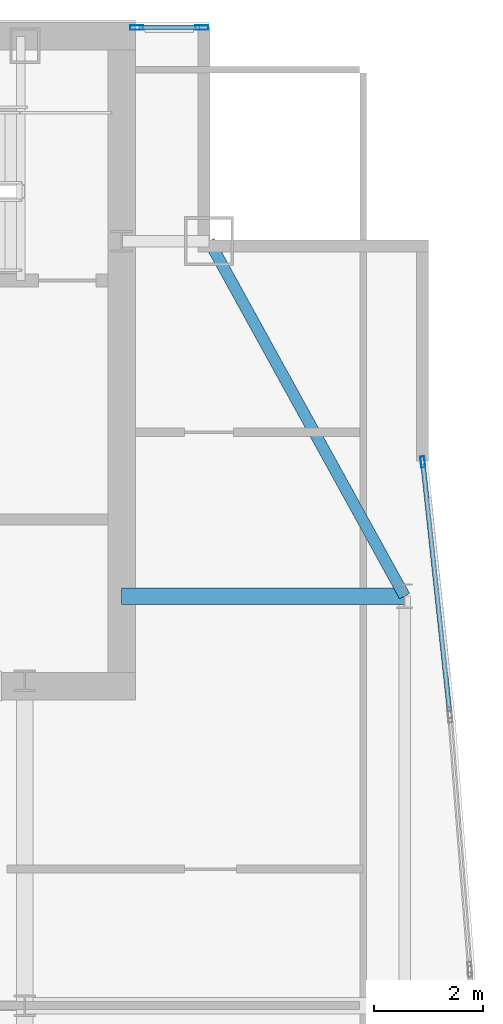
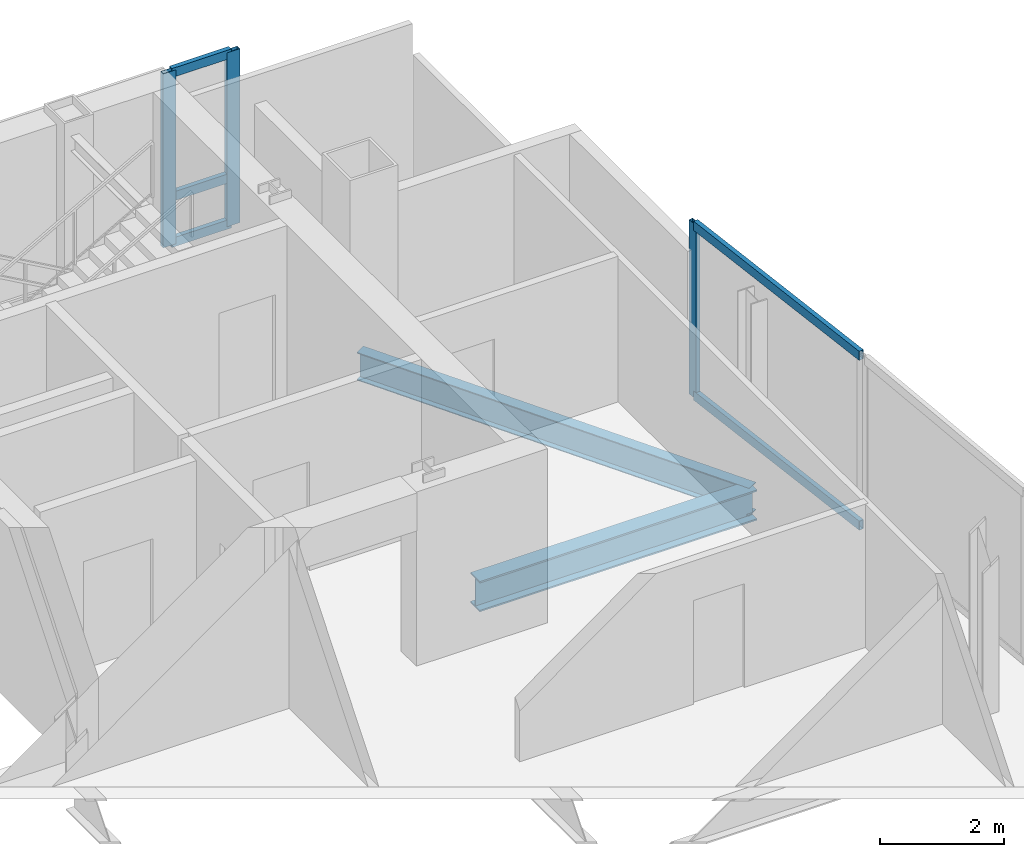
# One storey, part 20 of 27: 8 members, 2 beams, 2 elements without a shape of their own.
"""IFC4 building model written with IfcOpenShell, lengths in metres."""

from ifc_helpers import new_model, si_unit, direction, frame, origin, origin_2d, place, context, subcontext, project, spatial, hollow_rectangle, i_section, extrude, material, material_profile, profile_set, type_object, element, aggregate, save


model = new_model("IFC4")

# Units and contexts
model_context = context("Model", 3, precision=1e-05, world=origin(), true_north=direction((0.0, 1.0)))
body_context = subcontext(model_context, "Body", "Model", "MODEL_VIEW")
ifc_project = project(units=[si_unit("LENGTHUNIT", "METRE"), si_unit("AREAUNIT", "SQUARE_METRE"), si_unit("VOLUMEUNIT", "CUBIC_METRE"), si_unit("PLANEANGLEUNIT", "RADIAN"), si_unit("MASSUNIT", "GRAM", prefix="KILO")], contexts=[model_context])

# Site, building, storey
site_placement = place(None, origin())
site = spatial("IfcSite", under=ifc_project, at=site_placement, CompositionType="ELEMENT")
building_placement = place(site_placement, origin())
building = spatial("IfcBuilding", under=site, at=building_placement, Name="Khoronbel Lancet Exchange", CompositionType="ELEMENT")
storey_placement = place(building_placement, frame((0.0, 0.0, 343.39990234375)))
storey = spatial("IfcBuildingStorey", under=building, at=storey_placement, Name="L89", CompositionType="ELEMENT", Elevation=343.39990234375)

# Beams
ifc_material_1 = material(Name="Steel S355", Category="steel")
ifc_material_profile_1 = material_profile(ifc_material_1, i_section(OverallWidth=0.300048828125, OverallDepth=0.60009765625, WebThickness=0.015380859375, FlangeThickness=0.030029296875, at=origin_2d()), Name="HEB 600")
ifc_profile_set_1 = profile_set([ifc_material_profile_1], Name="Steel S355")
beam_type_1 = type_object("IfcBeamType", Name="BM-BG5", PredefinedType="BEAM", material=ifc_profile_set_1)
beam_1_placement = place(storey_placement, frame((56.449951171875, 43.199951171875, -0.4599609375), z_axis=(1.0, 0.0, 0.0), x_axis=(0.0, 1.0, 0.0)))
element("IfcBeam", 1, at=beam_1_placement, inside=storey, type_object=beam_type_1, Name="Level L89 east lens tie girder LG3E", PredefinedType="BEAM", context=body_context, shape_type="SweptSolid", body=[
    extrude(i_section(OverallWidth=0.300048828125, OverallDepth=0.60009765625, WebThickness=0.015380859375, FlangeThickness=0.030029296875, at=origin_2d()), origin(), (0.0, 0.0, 1.0), 5.179931640625),
])
ifc_material_profile_2 = material_profile(ifc_material_1, i_section(OverallWidth=0.2099609375, OverallDepth=0.550048828125, WebThickness=0.010986328125, FlangeThickness=0.01708984375, at=origin_2d()), Name="IPE 550")
ifc_profile_set_2 = profile_set([ifc_material_profile_2], Name="Steel S355")
beam_type_2 = type_object("IfcBeamType", Name="BM-BSP3", PredefinedType="SPANDREL", material=ifc_profile_set_2)
beam_2_placement = place(storey_placement, frame((61.6298828125, 43.199951171875, -0.434814453125), z_axis=(-0.482418808117, 0.875940690672, 0.0), x_axis=(-0.875940690672, -0.482418808117, 0.0)))
element("IfcBeam", 2, at=beam_2_placement, inside=storey, type_object=beam_type_2, Name="Level L89 perimeter spandrel beam SP13", PredefinedType="SPANDREL", context=body_context, shape_type="SweptSolid", body=[
    extrude(i_section(OverallWidth=0.2099609375, OverallDepth=0.550048828125, WebThickness=0.010986328125, FlangeThickness=0.01708984375, at=origin_2d()), origin(), (0.0, 0.0, 1.0), 7.420654296875),
])

# Curtain wall, members
ifc_material_2 = material(Name="Low-E Solar Control Insulating Glass", Category="glass")
curtain_wall_type_1 = type_object("IfcCurtainWallType", Name="CW-3", PredefinedType="NOTDEFINED", material=ifc_material_2)
curtain_wall_1_placement = place(storey_placement, origin())
curtain_wall_1 = element("IfcCurtainWall", 3, at=curtain_wall_1_placement, inside=storey, type_object=curtain_wall_type_1, Name="Unitised curtain wall CW-L89-NEFLK", PredefinedType="NOTDEFINED")
ifc_material_3 = material(Name="Bronze-Anodised Aluminium 6063-T6", Category="aluminium")
ifc_material_profile_3 = material_profile(ifc_material_3, hollow_rectangle(XDim=0.0849609375, YDim=0.239990234375, WallThickness=0.006103515625, at=origin_2d()), Name="ALU MULLION 85x240")
ifc_profile_set_3 = profile_set([ifc_material_profile_3], Name="Bronze-Anodised Aluminium 6063-T6")
member_type_1 = type_object("IfcMemberType", Name="MEM-CWM1", PredefinedType="MULLION", material=ifc_profile_set_3)
member_1_placement = place(storey_placement, frame((57.91748046875, 53.610107421875, 0.0), z_axis=(0.0, 0.0, 1.0), x_axis=(0.0, -1.0, 0.0)))
member_1 = element("IfcMember", 4, at=member_1_placement, type_object=member_type_1, Name="CW3 mullion 1", PredefinedType="MULLION", context=body_context, shape_type="SweptSolid", body=[
    extrude(hollow_rectangle(XDim=0.0849609375, YDim=0.239990234375, WallThickness=0.006103515625, at=origin_2d()), origin(), (0.0, 0.0, 1.0), 3.440185546875),
])
member_2_placement = place(storey_placement, frame((56.722412109375, 53.610107421875, 0.0), z_axis=(0.0, 0.0, 1.0), x_axis=(0.0, -1.0, 0.0)))
member_2 = element("IfcMember", 5, at=member_2_placement, type_object=member_type_1, Name="CW3 mullion 2", PredefinedType="MULLION", context=body_context, shape_type="SweptSolid", body=[
    extrude(hollow_rectangle(XDim=0.0849609375, YDim=0.239990234375, WallThickness=0.006103515625, at=origin_2d()), origin(), (0.0, 0.0, 1.0), 3.440185546875),
])

# Curtain wall, member
curtain_wall_type_2 = type_object("IfcCurtainWallType", Name="CW-4", PredefinedType="NOTDEFINED", material=ifc_material_2)
curtain_wall_2_placement = place(storey_placement, origin())
curtain_wall_2 = element("IfcCurtainWall", 6, at=curtain_wall_2_placement, inside=storey, type_object=curtain_wall_type_2, Name="Unitised curtain wall CW-L89-E17", PredefinedType="NOTDEFINED")
ifc_material_profile_4 = material_profile(ifc_material_3, hollow_rectangle(XDim=0.074951171875, YDim=0.199951171875, WallThickness=0.0048828125, at=origin_2d()), Name="ALU MULLION 75x200")
ifc_profile_set_4 = profile_set([ifc_material_profile_4], Name="Bronze-Anodised Aluminium 6063-T6")
member_type_2 = type_object("IfcMemberType", Name="MEM-CWM2", PredefinedType="MULLION", material=ifc_profile_set_4)
member_3_placement = place(storey_placement, frame((61.964111328125, 45.657958984375, 0.0), z_axis=(0.0, 0.0, 1.0), x_axis=(0.994308670645, 0.106537634098, 0.0)))
member_3 = element("IfcMember", 7, at=member_3_placement, type_object=member_type_2, Name="CW4 mullion 1", PredefinedType="MULLION", context=body_context, shape_type="SweptSolid", body=[
    extrude(hollow_rectangle(XDim=0.074951171875, YDim=0.199951171875, WallThickness=0.0048828125, at=origin_2d()), origin(), (0.0, 0.0, 1.0), 3.440185546875),
])

# Member
ifc_material_profile_5 = material_profile(ifc_material_3, hollow_rectangle(XDim=0.0849609375, YDim=0.179931640625, WallThickness=0.0048828125, at=origin_2d()), Name="ALU TRANSOM 85x180")
ifc_profile_set_5 = profile_set([ifc_material_profile_5], Name="Bronze-Anodised Aluminium 6063-T6")
member_type_3 = type_object("IfcMemberType", Name="MEM-CWT1", PredefinedType="USERDEFINED", material=ifc_profile_set_5)
member_4_placement = place(storey_placement, frame((57.875, 53.610107421875, 0.04248046875), z_axis=(-1.0, 0.0, 0.0), x_axis=(0.0, -1.0, 0.0)))
member_4 = element("IfcMember", 8, at=member_4_placement, type_object=member_type_3, Name="CW3 transom 1.1", ObjectType="TRANSOM", PredefinedType="USERDEFINED", context=body_context, shape_type="SweptSolid", body=[
    extrude(hollow_rectangle(XDim=0.0849609375, YDim=0.179931640625, WallThickness=0.0048828125, at=origin_2d()), origin(), (0.0, 0.0, 1.0), 1.110107421875),
])

member_5_placement = place(storey_placement, frame((57.875, 53.610107421875, 0.9501953125), z_axis=(-1.0, 0.0, 0.0), x_axis=(0.0, -1.0, 0.0)))
member_5 = element("IfcMember", 9, at=member_5_placement, type_object=member_type_3, Name="CW3 transom 1.2", ObjectType="TRANSOM", PredefinedType="USERDEFINED", context=body_context, shape_type="SweptSolid", body=[
    extrude(hollow_rectangle(XDim=0.0849609375, YDim=0.179931640625, WallThickness=0.0048828125, at=origin_2d()), origin(), (0.0, 0.0, 1.0), 1.110107421875),
])

member_6_placement = place(storey_placement, frame((57.875, 53.610107421875, 3.397705078125), z_axis=(-1.0, 0.0, 0.0), x_axis=(0.0, -1.0, 0.0)))
member_6 = element("IfcMember", 10, at=member_6_placement, type_object=member_type_3, Name="CW3 transom 1.3", ObjectType="TRANSOM", PredefinedType="USERDEFINED", context=body_context, shape_type="SweptSolid", body=[
    extrude(hollow_rectangle(XDim=0.0849609375, YDim=0.179931640625, WallThickness=0.0048828125, at=origin_2d()), origin(), (0.0, 0.0, 1.0), 1.110107421875),
])

aggregate(curtain_wall_1, [member_1, member_2, member_4, member_5, member_6])

member_7_placement = place(storey_placement, frame((61.968017578125, 45.62060546875, 0.04248046875), z_axis=(0.10652933186, -0.994309560174, 0.0), x_axis=(0.994309560174, 0.10652933186, 0.0)))
member_7 = element("IfcMember", 11, at=member_7_placement, type_object=member_type_3, Name="CW4 transom 1.1", ObjectType="TRANSOM", PredefinedType="USERDEFINED", context=body_context, shape_type="SweptSolid", body=[
    extrude(hollow_rectangle(XDim=0.0849609375, YDim=0.179931640625, WallThickness=0.0048828125, at=origin_2d()), origin(), (0.0, 0.0, 1.0), 4.546875),
])

member_8_placement = place(storey_placement, frame((61.968017578125, 45.62060546875, 3.397705078125), z_axis=(0.10652933186, -0.994309560174, 0.0), x_axis=(0.994309560174, 0.10652933186, 0.0)))
member_8 = element("IfcMember", 12, at=member_8_placement, type_object=member_type_3, Name="CW4 transom 1.2", ObjectType="TRANSOM", PredefinedType="USERDEFINED", context=body_context, shape_type="SweptSolid", body=[
    extrude(hollow_rectangle(XDim=0.0849609375, YDim=0.179931640625, WallThickness=0.0048828125, at=origin_2d()), origin(), (0.0, 0.0, 1.0), 4.546875),
])

aggregate(curtain_wall_2, [member_3, member_7, member_8])

save(model, "model.ifc")
